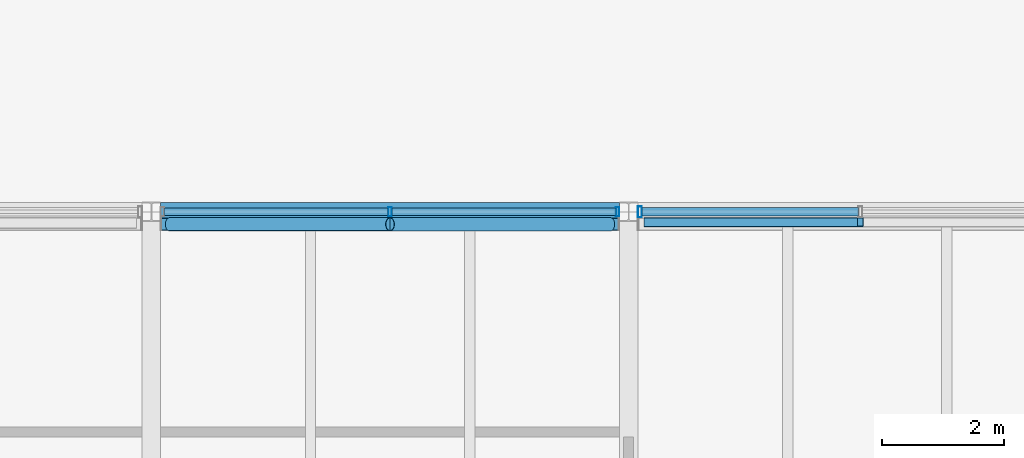
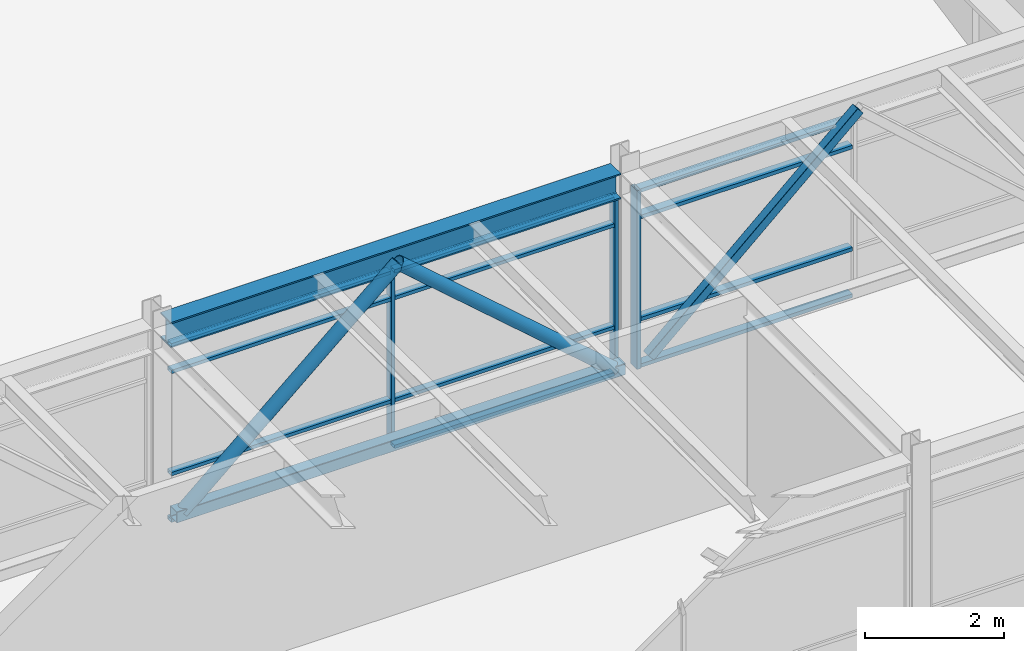
# One storey, part 38 of 72: 19 members, 1 beam, 2 elements without a shape of their own.
"""IFC4 building model written with IfcOpenShell, lengths in metres."""

from ifc_helpers import new_model, si_unit, direction, frame, origin, origin_2d, place, context, subcontext, project, spatial, hollow_rectangle, hollow_circle, i_section, extrude, material, material_profile, profile_set, type_object, element, aggregate, save


model = new_model("IFC4")

# Units and contexts
model_context = context("Model", 3, precision=1e-05, world=origin(), true_north=direction((0.0, 1.0)))
body_context = subcontext(model_context, "Body", "Model", "MODEL_VIEW")
ifc_project = project(units=[si_unit("LENGTHUNIT", "METRE"), si_unit("AREAUNIT", "SQUARE_METRE"), si_unit("VOLUMEUNIT", "CUBIC_METRE"), si_unit("PLANEANGLEUNIT", "RADIAN"), si_unit("MASSUNIT", "GRAM", prefix="KILO"), si_unit("THERMODYNAMICTEMPERATUREUNIT", "KELVIN"), si_unit("POWERUNIT", "WATT")], contexts=[model_context])

# Site, building, storey
site_placement = place(None, origin())
site = spatial("IfcSite", under=ifc_project, at=site_placement, CompositionType="ELEMENT")
building_placement = place(site_placement, origin())
building = spatial("IfcBuilding", under=site, at=building_placement, Name="Srebrne Nadtorze General Hospital", CompositionType="ELEMENT")
storey_placement = place(building_placement, frame((0.0, 0.0, 22.199951171875)))
storey = spatial("IfcBuildingStorey", under=building, at=storey_placement, Name="L05", CompositionType="ELEMENT", Elevation=22.199951171875)

# Beam
ifc_material_1 = material(Name="Steel S355J2", Category="steel")
ifc_material_profile_1 = material_profile(ifc_material_1, i_section(OverallWidth=0.300048828125, OverallDepth=0.449951171875, WebThickness=0.013916015625, FlangeThickness=0.02587890625, FilletRadius=0.027099609375, at=origin_2d()), Name="HEB-450")
ifc_profile_set_1 = profile_set([ifc_material_profile_1], Name="Steel S355J2")
beam_type = type_object("IfcBeamType", Name="Courtyard bridge girder HEB 450", PredefinedType="BEAM", material=ifc_profile_set_1)
beam_placement = place(storey_placement, frame((85.949951171875, 58.800048828125, 3.375), z_axis=(1.0, 0.0, 0.0), x_axis=(0.0, 1.0, 0.0)))
element("IfcBeam", 1, at=beam_placement, inside=storey, type_object=beam_type, Name="Beam BM-L05-X-1038", PredefinedType="BEAM", context=body_context, shape_type="SweptSolid", body=[
    extrude(i_section(OverallWidth=0.300048828125, OverallDepth=0.449951171875, WebThickness=0.013916015625, FlangeThickness=0.02587890625, FilletRadius=0.027099609375, at=origin_2d()), origin(), (0.0, 0.0, 1.0), 7.5),
])

# Curtain wall, members
ifc_material_2 = material(Name="Anodised Aluminium", Category="aluminium")
curtain_wall_type_1 = type_object("IfcCurtainWallType", Name="Bridge curtain wall 7500x3150", PredefinedType="NOTDEFINED", material=ifc_material_2)
curtain_wall_1_placement = place(storey_placement, origin())
curtain_wall_1 = element("IfcCurtainWall", 2, at=curtain_wall_1_placement, inside=storey, type_object=curtain_wall_type_1, Name="Curtain wall CW-128", PredefinedType="NOTDEFINED")
ifc_material_3 = material(Name="Anodised Aluminium", Category="aluminium")
ifc_material_profile_2 = material_profile(ifc_material_3, hollow_rectangle(XDim=0.06005859375, YDim=0.14990234375, WallThickness=0.00390625, at=origin_2d()), Name="AL-MUL-60x150")
ifc_profile_set_2 = profile_set([ifc_material_profile_2], Name="Anodised Aluminium")
member_type_1 = type_object("IfcMemberType", Name="Curtain mullion 60x150", PredefinedType="MULLION", material=ifc_profile_set_2)
member_1_placement = place(storey_placement, frame((89.699951171875, 58.800048828125, 0.0), z_axis=(0.0, 0.0, 1.0), x_axis=(1.0, 0.0, 0.0)))
member_1 = element("IfcMember", 3, at=member_1_placement, type_object=member_type_1, Name="CW-128 mullion 2", PredefinedType="MULLION", context=body_context, shape_type="SweptSolid", body=[
    extrude(hollow_rectangle(XDim=0.06005859375, YDim=0.14990234375, WallThickness=0.00390625, at=origin_2d()), origin(), (0.0, 0.0, 1.0), 3.150146484375),
])
member_2_placement = place(storey_placement, frame((93.419921875, 58.800048828125, 0.0), z_axis=(0.0, 0.0, 1.0), x_axis=(1.0, 0.0, 0.0)))
member_2 = element("IfcMember", 4, at=member_2_placement, type_object=member_type_1, Name="CW-128 mullion 3", PredefinedType="MULLION", context=body_context, shape_type="SweptSolid", body=[
    extrude(hollow_rectangle(XDim=0.06005859375, YDim=0.14990234375, WallThickness=0.00390625, at=origin_2d()), origin(), (0.0, 0.0, 1.0), 3.150146484375),
])

# Curtain wall, member
ifc_material_4 = material(Name="Anodised Aluminium", Category="aluminium")
curtain_wall_type_2 = type_object("IfcCurtainWallType", Name="Bridge curtain wall 7275x3150", PredefinedType="NOTDEFINED", material=ifc_material_4)
curtain_wall_2_placement = place(storey_placement, origin())
curtain_wall_2 = element("IfcCurtainWall", 5, at=curtain_wall_2_placement, inside=storey, type_object=curtain_wall_type_2, Name="Curtain wall CW-129", PredefinedType="NOTDEFINED")
ifc_material_5 = material(Name="Anodised Aluminium", Category="aluminium")
ifc_material_profile_3 = material_profile(ifc_material_5, hollow_rectangle(XDim=0.06494140625, YDim=0.179931640625, WallThickness=0.00390625, at=origin_2d()), Name="AL-MUL-65x180")
ifc_profile_set_3 = profile_set([ifc_material_profile_3], Name="Anodised Aluminium")
member_type_2 = type_object("IfcMemberType", Name="Curtain mullion 65x180", PredefinedType="MULLION", material=ifc_profile_set_3)
member_3_placement = place(storey_placement, frame((93.782470703125, 58.800048828125, 0.0), z_axis=(0.0, 0.0, 1.0), x_axis=(1.0, 0.0, 0.0)))
member_3 = element("IfcMember", 6, at=member_3_placement, type_object=member_type_2, Name="CW-129 mullion 1", PredefinedType="MULLION", context=body_context, shape_type="SweptSolid", body=[
    extrude(hollow_rectangle(XDim=0.06494140625, YDim=0.179931640625, WallThickness=0.00390625, at=origin_2d()), origin(), (0.0, 0.0, 1.0), 3.150146484375),
])

# Member
ifc_material_6 = material(Name="Anodised Aluminium", Category="aluminium")
ifc_material_profile_4 = material_profile(ifc_material_6, hollow_rectangle(XDim=0.06005859375, YDim=0.1201171875, WallThickness=0.00390625, at=origin_2d()), Name="AL-TRN-60x120")
ifc_profile_set_4 = profile_set([ifc_material_profile_4], Name="Anodised Aluminium")
member_type_3 = type_object("IfcMemberType", Name="Curtain transom 60x120", PredefinedType="USERDEFINED", material=ifc_profile_set_4)
member_4_placement = place(storey_placement, frame((86.010009765625, 58.800048828125, 0.030029296875), z_axis=(1.0, 0.0, 0.0), x_axis=(0.0, 0.0, 1.0)))
member_4 = element("IfcMember", 7, at=member_4_placement, type_object=member_type_3, Name="CW-128 transom 1.1", ObjectType="TRANSOM", PredefinedType="USERDEFINED", context=body_context, shape_type="SweptSolid", body=[
    extrude(hollow_rectangle(XDim=0.06005859375, YDim=0.1201171875, WallThickness=0.00390625, at=origin_2d()), origin(), (0.0, 0.0, 1.0), 3.659912109375),
])

member_5_placement = place(storey_placement, frame((86.010009765625, 58.800048828125, 0.85009765625), z_axis=(1.0, 0.0, 0.0), x_axis=(0.0, 0.0, 1.0)))
member_5 = element("IfcMember", 8, at=member_5_placement, type_object=member_type_3, Name="CW-128 transom 1.2", ObjectType="TRANSOM", PredefinedType="USERDEFINED", context=body_context, shape_type="SweptSolid", body=[
    extrude(hollow_rectangle(XDim=0.06005859375, YDim=0.1201171875, WallThickness=0.00390625, at=origin_2d()), origin(), (0.0, 0.0, 1.0), 3.659912109375),
])

member_6_placement = place(storey_placement, frame((86.010009765625, 58.800048828125, 2.650146484375), z_axis=(1.0, 0.0, 0.0), x_axis=(0.0, 0.0, 1.0)))
member_6 = element("IfcMember", 9, at=member_6_placement, type_object=member_type_3, Name="CW-128 transom 1.3", ObjectType="TRANSOM", PredefinedType="USERDEFINED", context=body_context, shape_type="SweptSolid", body=[
    extrude(hollow_rectangle(XDim=0.06005859375, YDim=0.1201171875, WallThickness=0.00390625, at=origin_2d()), origin(), (0.0, 0.0, 1.0), 3.659912109375),
])

member_7_placement = place(storey_placement, frame((86.010009765625, 58.800048828125, 3.1201171875), z_axis=(1.0, 0.0, 0.0), x_axis=(0.0, 0.0, 1.0)))
member_7 = element("IfcMember", 10, at=member_7_placement, type_object=member_type_3, Name="CW-128 transom 1.4", ObjectType="TRANSOM", PredefinedType="USERDEFINED", context=body_context, shape_type="SweptSolid", body=[
    extrude(hollow_rectangle(XDim=0.06005859375, YDim=0.1201171875, WallThickness=0.00390625, at=origin_2d()), origin(), (0.0, 0.0, 1.0), 3.659912109375),
])

member_8_placement = place(storey_placement, frame((89.72998046875, 58.800048828125, 0.030029296875), z_axis=(1.0, 0.0, 0.0), x_axis=(0.0, 0.0, 1.0)))
member_8 = element("IfcMember", 11, at=member_8_placement, type_object=member_type_3, Name="CW-128 transom 2.1", ObjectType="TRANSOM", PredefinedType="USERDEFINED", context=body_context, shape_type="SweptSolid", body=[
    extrude(hollow_rectangle(XDim=0.06005859375, YDim=0.1201171875, WallThickness=0.00390625, at=origin_2d()), origin(), (0.0, 0.0, 1.0), 3.659912109375),
])

member_9_placement = place(storey_placement, frame((89.72998046875, 58.800048828125, 0.85009765625), z_axis=(1.0, 0.0, 0.0), x_axis=(0.0, 0.0, 1.0)))
member_9 = element("IfcMember", 12, at=member_9_placement, type_object=member_type_3, Name="CW-128 transom 2.2", ObjectType="TRANSOM", PredefinedType="USERDEFINED", context=body_context, shape_type="SweptSolid", body=[
    extrude(hollow_rectangle(XDim=0.06005859375, YDim=0.1201171875, WallThickness=0.00390625, at=origin_2d()), origin(), (0.0, 0.0, 1.0), 3.659912109375),
])

member_10_placement = place(storey_placement, frame((89.72998046875, 58.800048828125, 2.650146484375), z_axis=(1.0, 0.0, 0.0), x_axis=(0.0, 0.0, 1.0)))
member_10 = element("IfcMember", 13, at=member_10_placement, type_object=member_type_3, Name="CW-128 transom 2.3", ObjectType="TRANSOM", PredefinedType="USERDEFINED", context=body_context, shape_type="SweptSolid", body=[
    extrude(hollow_rectangle(XDim=0.06005859375, YDim=0.1201171875, WallThickness=0.00390625, at=origin_2d()), origin(), (0.0, 0.0, 1.0), 3.659912109375),
])

member_11_placement = place(storey_placement, frame((89.72998046875, 58.800048828125, 3.1201171875), z_axis=(1.0, 0.0, 0.0), x_axis=(0.0, 0.0, 1.0)))
member_11 = element("IfcMember", 14, at=member_11_placement, type_object=member_type_3, Name="CW-128 transom 2.4", ObjectType="TRANSOM", PredefinedType="USERDEFINED", context=body_context, shape_type="SweptSolid", body=[
    extrude(hollow_rectangle(XDim=0.06005859375, YDim=0.1201171875, WallThickness=0.00390625, at=origin_2d()), origin(), (0.0, 0.0, 1.0), 3.659912109375),
])

aggregate(curtain_wall_1, [member_1, member_2, member_4, member_5, member_6, member_7, member_8, member_9, member_10, member_11])

ifc_material_7 = material(Name="Anodised Aluminium", Category="aluminium")
ifc_material_profile_5 = material_profile(ifc_material_7, hollow_rectangle(XDim=0.06494140625, YDim=0.139892578125, WallThickness=0.00390625, at=origin_2d()), Name="AL-TRN-65x140")
ifc_profile_set_5 = profile_set([ifc_material_profile_5], Name="Anodised Aluminium")
member_type_4 = type_object("IfcMemberType", Name="Curtain transom 65x140", PredefinedType="USERDEFINED", material=ifc_profile_set_5)
member_12_placement = place(storey_placement, frame((93.81494140625, 58.800048828125, 0.032470703125), z_axis=(1.0, 0.0, 0.0), x_axis=(0.0, 0.0, 1.0)))
member_12 = element("IfcMember", 15, at=member_12_placement, type_object=member_type_4, Name="CW-129 transom 1.1", ObjectType="TRANSOM", PredefinedType="USERDEFINED", context=body_context, shape_type="SweptSolid", body=[
    extrude(hollow_rectangle(XDim=0.06494140625, YDim=0.139892578125, WallThickness=0.00390625, at=origin_2d()), origin(), (0.0, 0.0, 1.0), 3.5400390625),
])

member_13_placement = place(storey_placement, frame((93.81494140625, 58.800048828125, 0.85009765625), z_axis=(1.0, 0.0, 0.0), x_axis=(0.0, 0.0, 1.0)))
member_13 = element("IfcMember", 16, at=member_13_placement, type_object=member_type_4, Name="CW-129 transom 1.2", ObjectType="TRANSOM", PredefinedType="USERDEFINED", context=body_context, shape_type="SweptSolid", body=[
    extrude(hollow_rectangle(XDim=0.06494140625, YDim=0.139892578125, WallThickness=0.00390625, at=origin_2d()), origin(), (0.0, 0.0, 1.0), 3.5400390625),
])

member_14_placement = place(storey_placement, frame((93.81494140625, 58.800048828125, 2.650146484375), z_axis=(1.0, 0.0, 0.0), x_axis=(0.0, 0.0, 1.0)))
member_14 = element("IfcMember", 17, at=member_14_placement, type_object=member_type_4, Name="CW-129 transom 1.3", ObjectType="TRANSOM", PredefinedType="USERDEFINED", context=body_context, shape_type="SweptSolid", body=[
    extrude(hollow_rectangle(XDim=0.06494140625, YDim=0.139892578125, WallThickness=0.00390625, at=origin_2d()), origin(), (0.0, 0.0, 1.0), 3.5400390625),
])

member_15_placement = place(storey_placement, frame((93.81494140625, 58.800048828125, 3.117431640625), z_axis=(1.0, 0.0, 0.0), x_axis=(0.0, 0.0, 1.0)))
member_15 = element("IfcMember", 18, at=member_15_placement, type_object=member_type_4, Name="CW-129 transom 1.4", ObjectType="TRANSOM", PredefinedType="USERDEFINED", context=body_context, shape_type="SweptSolid", body=[
    extrude(hollow_rectangle(XDim=0.06494140625, YDim=0.139892578125, WallThickness=0.00390625, at=origin_2d()), origin(), (0.0, 0.0, 1.0), 3.5400390625),
])

aggregate(curtain_wall_2, [member_3, member_12, member_13, member_14, member_15])

# Members
ifc_material_8 = material(Name="Steel S355J2", Category="steel")
ifc_material_profile_6 = material_profile(ifc_material_8, hollow_circle(Radius=0.109619140625, WallThickness=0.008056640625, at=origin_2d()), Name="CHS-219.1x8")
ifc_profile_set_6 = profile_set([ifc_material_profile_6], Name="Steel S355J2")
member_type_5 = type_object("IfcMemberType", Name="Diagonal brace CHS 219.1x8", PredefinedType="BRACE", material=ifc_profile_set_6)
for number, where, z_axis, x_axis, name in (
    (19, (86.10009765625, 58.595458984375, 0.25), (0.754624252348, 0.0, 0.656157174592), (0.0, 1.0, 0.0), "Clinical courtyard bridge brace 21"),
    (20, (93.300048828125, 58.595458984375, 0.25), (-0.754646285498, 0.0, 0.656131834149), (0.0, -1.0, 0.0), "Clinical courtyard bridge brace 22"),
):
    element("IfcMember", number, at=place(storey_placement, frame(where, z_axis=z_axis, x_axis=x_axis)), inside=storey, type_object=member_type_5, Name=name, PredefinedType="BRACE", context=body_context, shape_type="SweptSolid", body=[
        extrude(hollow_circle(Radius=0.109619140625, WallThickness=0.008056640625, at=origin_2d()), origin(), (0.0, 0.0, 1.0), 4.7705078125),
    ])
ifc_material_9 = material(Name="Steel S355J2", Category="steel")
ifc_material_profile_7 = material_profile(ifc_material_9, hollow_rectangle(XDim=0.199951171875, YDim=0.199951171875, WallThickness=0.010009765625, InnerFilletRadius=0.010009765625, OuterFilletRadius=0.014892578125, at=origin_2d()), Name="SHS-200x200x10")
ifc_profile_set_7 = profile_set([ifc_material_profile_7], Name="Steel S355J2")
member_type_6 = type_object("IfcMemberType", Name="Truss chord SHS 200x200x10", PredefinedType="CHORD", material=ifc_profile_set_7)
member_16_placement = place(storey_placement, frame((85.9619140625, 58.594970703125, 0.25), z_axis=(1.0, 0.0, 0.0), x_axis=(0.0, 1.0, 0.0)))
element("IfcMember", 21, at=member_16_placement, inside=storey, type_object=member_type_6, Name="Clinical courtyard bridge truss chord 11", PredefinedType="CHORD", context=body_context, shape_type="SweptSolid", body=[
    extrude(hollow_rectangle(XDim=0.199951171875, YDim=0.199951171875, WallThickness=0.010009765625, InnerFilletRadius=0.010009765625, OuterFilletRadius=0.014892578125, at=origin_2d()), origin(), (0.0, 0.0, 1.0), 7.47607421875),
])
ifc_material_10 = material(Name="Steel S355J2", Category="steel")
ifc_material_profile_8 = material_profile(ifc_material_10, hollow_rectangle(XDim=0.14990234375, YDim=0.14990234375, WallThickness=0.00634765625, InnerFilletRadius=0.006103515625, OuterFilletRadius=0.009033203125, at=origin_2d()), Name="SHS-150x150x6.3")
ifc_profile_set_8 = profile_set([ifc_material_profile_8], Name="Steel S355J2")
member_type_7 = type_object("IfcMemberType", Name="Wind brace SHS 150x150x6.3", PredefinedType="BRACE", material=ifc_profile_set_8)
member_17_placement = place(storey_placement, frame((93.89990234375, 58.6298828125, 0.25), z_axis=(0.744213065874, 0.0, 0.667942297345), x_axis=(0.0, 1.0, 0.0)))
element("IfcMember", 22, at=member_17_placement, inside=storey, type_object=member_type_7, Name="Clinical courtyard bridge brace 23", PredefinedType="BRACE", context=body_context, shape_type="SweptSolid", body=[
    extrude(hollow_rectangle(XDim=0.14990234375, YDim=0.14990234375, WallThickness=0.00634765625, InnerFilletRadius=0.006103515625, OuterFilletRadius=0.009033203125, at=origin_2d()), origin(), (0.0, 0.0, 1.0), 4.686279296875),
])

save(model, "model.ifc")
